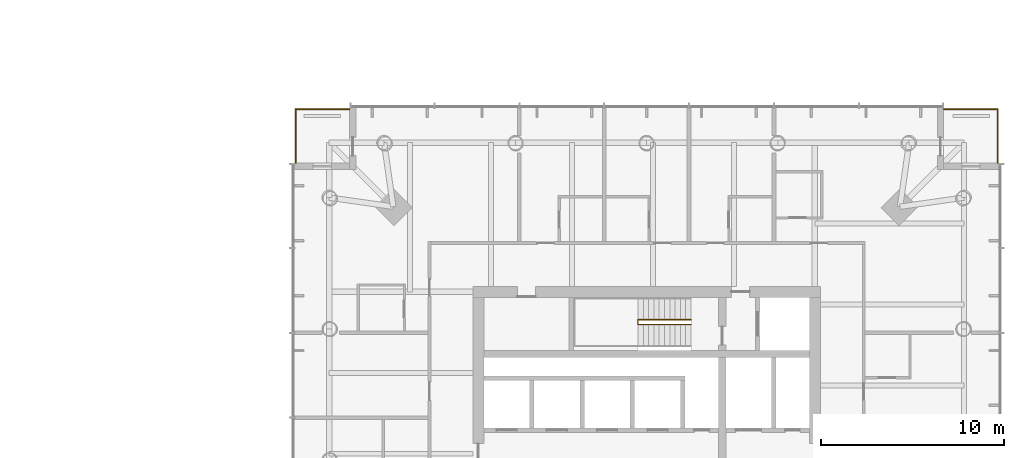
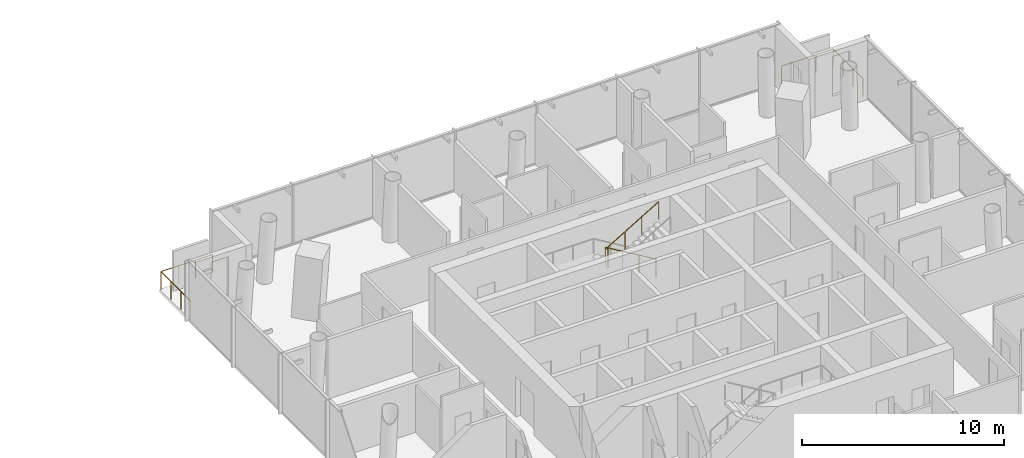
# One storey, part 21 of 21: 3 railings.
"""IFC4 building model written with IfcOpenShell, lengths in metres."""

import ifcopenshell
import ifcopenshell.guid

model = None  # the IFC model being written
_history = None  # IfcOwnerHistory: only IFC2X3 demands one
_inside = {}  # id of a spatial element -> (the spatial element, [elements in it])
_under = {}  # id of a project, library or spatial element -> (it, [spatial elements below it])
_declared = {}  # id of a project -> (the project, [libraries it declares])
_typed = {}  # id of a type object -> (the type object, [elements of that type])
_made_of = {}  # id of a material, layer set ... -> (it, [elements and type objects made of it])


def new_model(schema):
    """Start an empty IFC model of exactly this schema.

    Asked for "IFC4X3", IfcOpenShell would pick the latest addendum, in which some entities
    have other attributes; the version numbers below select the first issue.
    IFC2X3 requires an IfcOwnerHistory on every rooted entity: one is made here for all.
    """
    global model, _history
    if schema == "IFC4X3":
        model = ifcopenshell.file(schema_version=(4, 3, 0, 0))
    else:
        model = ifcopenshell.file(schema=schema)
    _inside.clear()
    _under.clear()
    _declared.clear()
    _typed.clear()
    _made_of.clear()
    _history = None
    if model.schema == "IFC2X3":
        org = make("IfcOrganization", Name="unknown")
        user = make(
            "IfcPersonAndOrganization",
            ThePerson=make("IfcPerson", FamilyName="unknown"),
            TheOrganization=org,
        )
        app = make(
            "IfcApplication",
            ApplicationDeveloper=org,
            Version="unknown",
            ApplicationFullName="unknown",
            ApplicationIdentifier="unknown",
        )
        _history = make(
            "IfcOwnerHistory",
            OwningUser=user,
            OwningApplication=app,
            ChangeAction="ADDED",
            CreationDate=0,
        )
    return model


def make(cls, **values):
    """One entity of the class cls with the attributes given. An attribute that is None is left unset."""
    return model.create_entity(
        cls, **{name: value for name, value in values.items() if value is not None}
    )


def rooted(cls, **values):
    """An entity with a GlobalId (a new one), such as an element, a storey or a relation."""
    return make(cls, GlobalId=ifcopenshell.guid.new(), OwnerHistory=_history, **values)


def si_unit(unit_type, name, prefix=None):
    """IfcSIUnit, for example si_unit("LENGTHUNIT", "METRE", prefix="MILLI")."""
    return make("IfcSIUnit", UnitType=unit_type, Prefix=prefix, Name=name)


def assignment(units):
    """IfcUnitAssignment: the units of a project."""
    return None if units is None else make("IfcUnitAssignment", Units=units)


def point(xyz):
    """IfcCartesianPoint."""
    return None if xyz is None else make("IfcCartesianPoint", Coordinates=xyz)


def direction(xyz):
    """IfcDirection."""
    return None if xyz is None else make("IfcDirection", DirectionRatios=xyz)


def frame(location, z_axis=None, x_axis=None):
    """IfcAxis2Placement3D, a coordinate frame: its origin and axes. An axis left out is left unset."""
    return make(
        "IfcAxis2Placement3D",
        Location=point(location),
        Axis=direction(z_axis),
        RefDirection=direction(x_axis),
    )


def frame_2d(location, x_axis=None):
    """IfcAxis2Placement2D, a coordinate frame in the plane: its origin and x axis."""
    return make(
        "IfcAxis2Placement2D", Location=point(location), RefDirection=direction(x_axis)
    )


def origin():
    """The frame at (0, 0, 0) with its axes left unset."""
    return frame((0.0, 0.0, 0.0))


def origin_2d():
    """The frame at (0, 0) in the plane with its x axis left unset."""
    return frame_2d((0.0, 0.0))


def place(relative_to, where):
    """IfcLocalPlacement: puts the frame where relative to a parent placement (None: the world)."""
    return make(
        "IfcLocalPlacement", PlacementRelTo=relative_to, RelativePlacement=where
    )


def context(
    kind, dimensions, precision=None, world=None, true_north=None, identifier=None
):
    """IfcGeometricRepresentationContext, for example the 3D "Model" context."""
    return make(
        "IfcGeometricRepresentationContext",
        ContextIdentifier=identifier,
        ContextType=kind,
        CoordinateSpaceDimension=dimensions,
        Precision=precision,
        WorldCoordinateSystem=world,
        TrueNorth=true_north,
    )


def subcontext(parent, identifier, kind, view, scale=None):
    """IfcGeometricRepresentationSubContext, for example "Body" below "Model"."""
    return make(
        "IfcGeometricRepresentationSubContext",
        ContextIdentifier=identifier,
        ContextType=kind,
        ParentContext=parent,
        TargetScale=scale,
        TargetView=view,
    )


def project(units=None, contexts=None):
    """IfcProject with its units and contexts."""
    return rooted(
        "IfcProject",
        Name="project",
        RepresentationContexts=contexts,
        UnitsInContext=assignment(units),
    )


def spatial(cls, under=None, at=None, **own):
    """A site, building, storey or space (cls), placed at a placement, below another one or the project."""
    s = rooted(cls, ObjectPlacement=at, **own)
    if under is not None:
        _under.setdefault(under.id(), (under, []))[1].append(s)
    return s


def profile(cls, at=None, kind="AREA", **sizes):
    """A parametric profile (cls). Its sizes go by their IFC names, for example OverallWidth=200.0."""
    return make(cls, ProfileType=kind, Position=at, **sizes)


def circle(**sizes):
    """IfcCircleProfileDef."""
    return profile("IfcCircleProfileDef", **sizes)


def extrude(swept, where, along, depth):
    """IfcExtrudedAreaSolid: the profile swept, set in the frame where, extruded along a direction by depth."""
    return make(
        "IfcExtrudedAreaSolid",
        SweptArea=swept,
        Position=where,
        ExtrudedDirection=direction(along),
        Depth=depth,
    )


def shape(context_of_items, identifier, shape_type, items):
    """IfcShapeRepresentation: the items that make up one representation, for example the "Body"."""
    return make(
        "IfcShapeRepresentation",
        ContextOfItems=context_of_items,
        RepresentationIdentifier=identifier,
        RepresentationType=shape_type,
        Items=items,
    )


def material(Name=None, Category=None):
    """IfcMaterial."""
    return make("IfcMaterial", Name=Name, Category=Category)


def made_of(thing, what):
    """Note that an element or type object is made of a material, layer set ...; save() writes the relation."""
    if what is not None:
        _made_of.setdefault(what.id(), (what, []))[1].append(thing)
    return thing


def type_object(cls, material=None, **own):
    """A type object (cls), such as IfcWallType, which elements share."""
    return made_of(rooted(cls, **own), material)


def element(
    cls,
    number,
    at=None,
    inside=None,
    cuts=None,
    type_object=None,
    material=None,
    context=None,
    identifier="Body",
    shape_type=None,
    held_by="IfcProductDefinitionShape",
    body=None,
    shapes=None,
    **own,
):
    """One element of the class cls, such as IfcWall. Its Tag is "e" and its number.

    at: its placement. inside: the storey or other place that contains it. cuts: it is an
    opening in that element (IfcRelVoidsElement). A single representation is given by context,
    identifier, shape_type and body (its items); several are given by shapes. held_by: the class
    of the entity that holds the representations. save() writes the other relations.
    """
    e = rooted(cls, Tag="e%d" % number, ObjectPlacement=at, **own)
    if body is not None:
        shapes = [shape(context, identifier, shape_type, body)]
    if shapes is not None:
        e.Representation = make(held_by, Representations=shapes)
    if inside is not None:
        _inside.setdefault(inside.id(), (inside, []))[1].append(e)
    if cuts is not None:
        rooted(
            "IfcRelVoidsElement", RelatingBuildingElement=cuts, RelatedOpeningElement=e
        )
    if type_object is not None:
        _typed.setdefault(type_object.id(), (type_object, []))[1].append(e)
    return made_of(e, material)


def aggregate(whole, parts):
    """IfcRelAggregates: a whole, such as a stair, and the parts it consists of."""
    return rooted("IfcRelAggregates", RelatingObject=whole, RelatedObjects=parts)


def save(model, path):
    """Write the relations noted so far, then the file.

    IfcRelAggregates (storeys below a building ...), IfcRelContainedInSpatialStructure (elements
    in a storey), IfcRelDefinesByType, IfcRelAssociatesMaterial and IfcRelDeclares: one each for
    every whole, place, type object, material and project.
    """
    for whole, parts in _under.values():
        aggregate(whole, parts)
    for where, things in _inside.values():
        rooted(
            "IfcRelContainedInSpatialStructure",
            RelatedElements=things,
            RelatingStructure=where,
        )
    for kind, things in _typed.values():
        rooted("IfcRelDefinesByType", RelatedObjects=things, RelatingType=kind)
    for what, things in _made_of.values():
        rooted("IfcRelAssociatesMaterial", RelatedObjects=things, RelatingMaterial=what)
    for by, libraries in _declared.values():
        rooted("IfcRelDeclares", RelatingContext=by, RelatedDefinitions=libraries)
    model.write(path)


model = new_model("IFC4")

# Units and contexts
model_context = context("Model", 3, precision=1e-05, world=origin(), true_north=direction((0.0, 1.0)))
body_context = subcontext(model_context, "Body", "Model", "MODEL_VIEW")
ifc_project = project(units=[si_unit("LENGTHUNIT", "METRE"), si_unit("AREAUNIT", "SQUARE_METRE"), si_unit("VOLUMEUNIT", "CUBIC_METRE"), si_unit("PLANEANGLEUNIT", "RADIAN"), si_unit("MASSUNIT", "GRAM", prefix="KILO")], contexts=[model_context])

# Site, building, storey
site_placement = place(None, origin())
site = spatial("IfcSite", under=ifc_project, at=site_placement, CompositionType="ELEMENT")
building_placement = place(site_placement, origin())
building = spatial("IfcBuilding", under=site, at=building_placement, Name="Ostroluk Exchange", CompositionType="ELEMENT")
storey_placement = place(building_placement, frame((0.0, 0.0, 59.0)))
storey = spatial("IfcBuildingStorey", under=building, at=storey_placement, Name="L14", CompositionType="ELEMENT", Elevation=59.0)

# Railings
ifc_material_1 = material(Name="Stainless steel", Category="steel")
railing_type_1 = type_object("IfcRailingType", Name="Guard 1100 stainless steel", PredefinedType="GUARDRAIL", material=ifc_material_1)
railing_1_placement = place(storey_placement, frame((133.25, 65.199951171875, 0.0)))
element("IfcRailing", 1, at=railing_1_placement, inside=storey, type_object=railing_type_1, Name="Hotel tower NE balcony guard L14", PredefinedType="GUARDRAIL", context=body_context, shape_type="SweptSolid", body=[
    extrude(circle(Radius=0.02392578125, at=origin_2d()), frame((0.0, 0.0, 1.076171875), z_axis=(1.0, 0.0, 0.0), x_axis=(0.0, 1.0, 0.0)), (0.0, 0.0, 1.0), 2.949951171875),
    extrude(circle(Radius=0.02392578125, at=origin_2d()), frame((2.949951171875, 0.0, 1.076171875), z_axis=(0.0, -1.0, 0.0), x_axis=(1.0, 0.0, 0.0)), (0.0, 0.0, 1.0), 2.949951171875),
    extrude(circle(Radius=0.02099609375, at=origin_2d()), origin(), (0.0, 0.0, 1.0), 1.052001953125),
    extrude(circle(Radius=0.02099609375, at=origin_2d()), frame((0.9833984375, 0.0, 0.0)), (0.0, 0.0, 1.0), 1.052001953125),
    extrude(circle(Radius=0.02099609375, at=origin_2d()), frame((1.966552734375, 0.0, 0.0)), (0.0, 0.0, 1.0), 1.052001953125),
    extrude(circle(Radius=0.02099609375, at=origin_2d()), frame((2.949951171875, 0.0, 0.0)), (0.0, 0.0, 1.0), 1.052001953125),
    extrude(circle(Radius=0.02099609375, at=origin_2d()), frame((2.949951171875, -0.9833984375, 0.0)), (0.0, 0.0, 1.0), 1.052001953125),
    extrude(circle(Radius=0.02099609375, at=origin_2d()), frame((2.949951171875, -1.966552734375, 0.0)), (0.0, 0.0, 1.0), 1.052001953125),
    extrude(circle(Radius=0.02099609375, at=origin_2d()), frame((2.949951171875, -2.949951171875, 0.0)), (0.0, 0.0, 1.0), 1.052001953125),
])
railing_2_placement = place(storey_placement, frame((100.75, 65.199951171875, 0.0)))
element("IfcRailing", 2, at=railing_2_placement, inside=storey, type_object=railing_type_1, Name="Hotel tower NW balcony guard L14", PredefinedType="GUARDRAIL", context=body_context, shape_type="SweptSolid", body=[
    extrude(circle(Radius=0.02392578125, at=origin_2d()), frame((0.0, 0.0, 1.076171875), z_axis=(-1.0, 0.0, 0.0), x_axis=(0.0, -1.0, 0.0)), (0.0, 0.0, 1.0), 2.949951171875),
    extrude(circle(Radius=0.02392578125, at=origin_2d()), frame((-2.949951171875, 0.0, 1.076171875), z_axis=(0.0, -1.0, 0.0), x_axis=(1.0, 0.0, 0.0)), (0.0, 0.0, 1.0), 2.949951171875),
    extrude(circle(Radius=0.02099609375, at=origin_2d()), origin(), (0.0, 0.0, 1.0), 1.052001953125),
    extrude(circle(Radius=0.02099609375, at=origin_2d()), frame((-0.9833984375, 0.0, 0.0)), (0.0, 0.0, 1.0), 1.052001953125),
    extrude(circle(Radius=0.02099609375, at=origin_2d()), frame((-1.966552734375, 0.0, 0.0)), (0.0, 0.0, 1.0), 1.052001953125),
    extrude(circle(Radius=0.02099609375, at=origin_2d()), frame((-2.949951171875, 0.0, 0.0)), (0.0, 0.0, 1.0), 1.052001953125),
    extrude(circle(Radius=0.02099609375, at=origin_2d()), frame((-2.949951171875, -0.9833984375, 0.0)), (0.0, 0.0, 1.0), 1.052001953125),
    extrude(circle(Radius=0.02099609375, at=origin_2d()), frame((-2.949951171875, -1.966552734375, 0.0)), (0.0, 0.0, 1.0), 1.052001953125),
    extrude(circle(Radius=0.02099609375, at=origin_2d()), frame((-2.949951171875, -2.949951171875, 0.0)), (0.0, 0.0, 1.0), 1.052001953125),
])
ifc_material_2 = material(Name="Steel S355", Category="steel")
railing_type_2 = type_object("IfcRailingType", Name="Stair guard 1100", PredefinedType="GUARDRAIL", material=ifc_material_2)
railing_3_placement = place(storey_placement, frame((119.429931640625, 53.679931640625, 0.172607421875)))
element("IfcRailing", 3, at=railing_3_placement, inside=storey, type_object=railing_type_2, Name="Stair T2-S2 guard L14", PredefinedType="GUARDRAIL", context=body_context, shape_type="SweptSolid", body=[
    extrude(circle(Radius=0.02392578125, at=origin_2d()), frame((0.0, 0.0, 1.076171875), z_axis=(-0.859141464434, 0.0, 0.511738159696), x_axis=(0.0, -1.0, 0.0)), (0.0, 0.0, 1.0), 3.375244140625),
    extrude(circle(Radius=0.02392578125, at=origin_2d()), frame((-2.89990234375, 0.0, 2.80322265625), z_axis=(0.0, -1.0, 0.0), x_axis=(1.0, 0.0, 0.0)), (0.0, 0.0, 1.0), 0.260009765625),
    extrude(circle(Radius=0.02392578125, at=origin_2d()), frame((-2.89990234375, -0.260009765625, 2.80322265625), z_axis=(0.0, 0.0, 1.0), x_axis=(1.0, 0.0, 0.0)), (0.0, 0.0, 1.0), 0.1728515625),
    extrude(circle(Radius=0.02392578125, at=origin_2d()), frame((-2.89990234375, -0.260009765625, 2.97607421875), z_axis=(0.859141464434, 0.0, 0.511738159696), x_axis=(0.0, 1.0, 0.0)), (0.0, 0.0, 1.0), 3.375244140625),
    extrude(circle(Radius=0.02099609375, at=origin_2d()), origin(), (0.0, 0.0, 1.0), 1.052001953125),
    extrude(circle(Radius=0.02099609375, at=origin_2d()), frame((-0.966552734375, 0.0, 0.57568359375)), (0.0, 0.0, 1.0), 1.052001953125),
    extrude(circle(Radius=0.02099609375, at=origin_2d()), frame((-1.933349609375, 0.0, 1.151611328125)), (0.0, 0.0, 1.0), 1.052001953125),
    extrude(circle(Radius=0.02099609375, at=origin_2d()), frame((-2.89990234375, 0.0, 1.727294921875)), (0.0, 0.0, 1.0), 1.052001953125),
    extrude(circle(Radius=0.02099609375, at=origin_2d()), frame((-2.89990234375, -0.260009765625, 1.727294921875)), (0.0, 0.0, 1.0), 1.052001953125),
    extrude(circle(Radius=0.02099609375, at=origin_2d()), frame((-2.89990234375, -0.260009765625, 1.900146484375)), (0.0, 0.0, 1.0), 1.052001953125),
    extrude(circle(Radius=0.02099609375, at=origin_2d()), frame((-1.933349609375, -0.260009765625, 2.475830078125)), (0.0, 0.0, 1.0), 1.052001953125),
    extrude(circle(Radius=0.02099609375, at=origin_2d()), frame((-0.966552734375, -0.260009765625, 3.0517578125)), (0.0, 0.0, 1.0), 1.052001953125),
    extrude(circle(Radius=0.02099609375, at=origin_2d()), frame((0.0, -0.260009765625, 3.62744140625)), (0.0, 0.0, 1.0), 1.052001953125),
])

save(model, "model.ifc")
